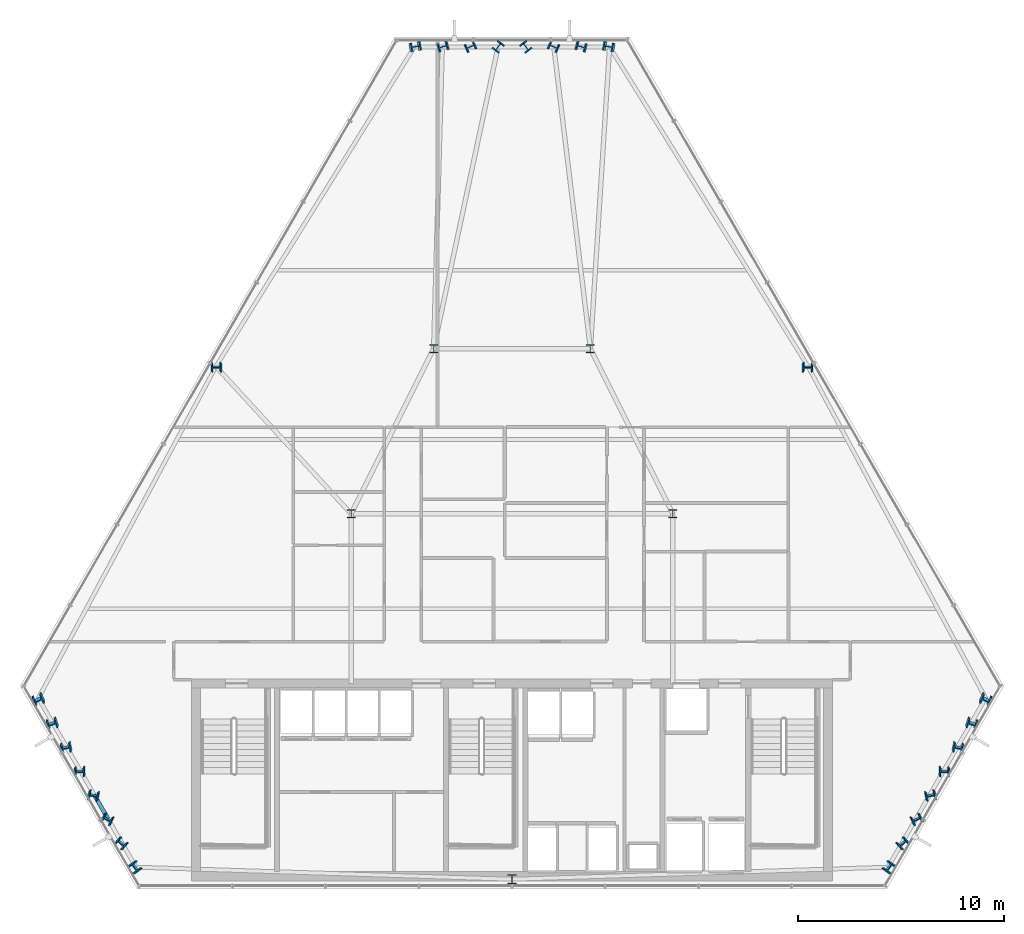
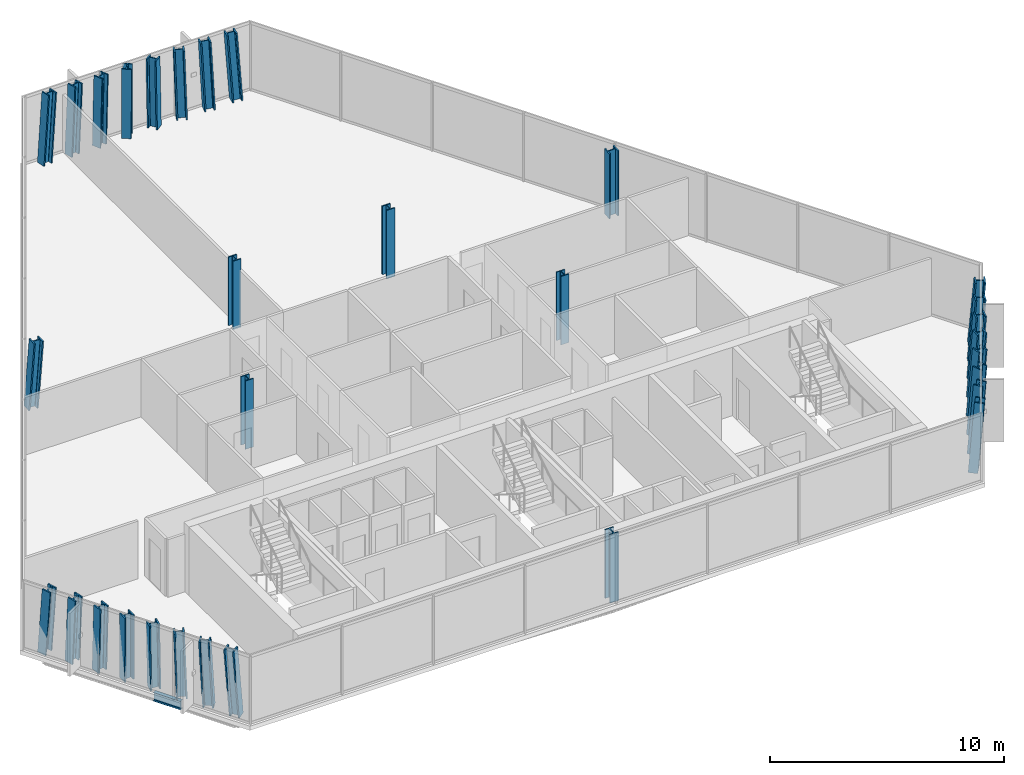
# One storey, part 1 of 32: 31 columns, 1 beam.
"""IFC4 building model written with IfcOpenShell, lengths in metres."""

from ifc_helpers import new_model, si_unit, direction, frame, origin, origin_2d, place, context, subcontext, project, spatial, i_section, extrude, material, material_profile, profile_set, type_object, element, save


model = new_model("IFC4")

# Units and contexts
model_context = context("Model", 3, precision=1e-05, world=origin(), true_north=direction((0.0, 1.0)))
body_context = subcontext(model_context, "Body", "Model", "MODEL_VIEW")
ifc_project = project(units=[si_unit("LENGTHUNIT", "METRE"), si_unit("AREAUNIT", "SQUARE_METRE"), si_unit("VOLUMEUNIT", "CUBIC_METRE"), si_unit("PLANEANGLEUNIT", "RADIAN"), si_unit("MASSUNIT", "GRAM", prefix="KILO")], contexts=[model_context])

# Site, building, storey
site_placement = place(None, origin())
site = spatial("IfcSite", under=ifc_project, at=site_placement, CompositionType="ELEMENT")
building_placement = place(site_placement, origin())
building = spatial("IfcBuilding", under=site, at=building_placement, Name="Ndaravel Arena Tower", CompositionType="ELEMENT")
storey_placement = place(building_placement, frame((0.0, 0.0, 157.39990234375)))
storey = spatial("IfcBuildingStorey", under=building, at=storey_placement, Name="L37", CompositionType="ELEMENT", Elevation=157.39990234375)

# Columns
ifc_material_1 = material(Name="Steel S355", Category="steel")
ifc_material_profile_1 = material_profile(ifc_material_1, i_section(OverallWidth=0.406982421875, OverallDepth=0.4189453125, WebThickness=0.030517578125, FlangeThickness=0.04931640625, FilletRadius=0.01513671875, at=origin_2d()), Name="UC 356x406x393")
ifc_profile_set_1 = profile_set([ifc_material_profile_1], Name="Steel S355")
column_type_1 = type_object("IfcColumnType", Name="COL-INT-UC393", PredefinedType="COLUMN", material=ifc_profile_set_1)
for number, where, z_axis, x_axis, name in (
    (1, (34.199951171875, 23.199951171875, 0.0), (0.0, 0.0, 1.0), (1.0, 0.0, 0.0), "L37 Interior Spine Column IC-01"),
    (2, (49.800048828125, 23.199951171875, 0.0), (0.0, 0.0, 1.0), (1.0, 0.0, 0.0), "L37 Interior Spine Column IC-02"),
    (3, (38.199951171875, 31.199951171875, 0.0), (0.0, 0.0, 1.0), (1.0, 0.0, 0.0), "L37 Interior Spine Column IC-03"),
    (4, (45.800048828125, 31.199951171875, 0.0), (0.0, 0.0, 1.0), (1.0, 0.0, 0.0), "L37 Interior Spine Column IC-04"),
):
    element("IfcColumn", number, at=place(storey_placement, frame(where, z_axis=z_axis, x_axis=x_axis)), inside=storey, type_object=column_type_1, Name=name, PredefinedType="COLUMN", context=body_context, shape_type="SweptSolid", body=[
        extrude(i_section(OverallWidth=0.406982421875, OverallDepth=0.4189453125, WebThickness=0.030517578125, FlangeThickness=0.04931640625, FilletRadius=0.01513671875, at=origin_2d()), origin(), (0.0, 0.0, 1.0), 3.580078125),
    ])
ifc_material_2 = material(Name="Steel S355", Category="steel")
ifc_material_profile_2 = material_profile(ifc_material_2, i_section(OverallWidth=0.427978515625, OverallDepth=0.48095703125, WebThickness=0.051025390625, FlangeThickness=0.06494140625, FilletRadius=0.014892578125, at=origin_2d()), Name="HD 400x677")
ifc_profile_set_2 = profile_set([ifc_material_profile_2], Name="Steel S355")
column_type_2 = type_object("IfcColumnType", Name="COL-TUBE-HD677", PredefinedType="COLUMN", material=ifc_profile_set_2)
column_1_placement = place(storey_placement, frame((42.0, 5.47998046875, 0.0), z_axis=(0.0, 0.0, 1.0), x_axis=(1.0, 0.0, 0.0)))
element("IfcColumn", 5, at=column_1_placement, inside=storey, type_object=column_type_2, Name="L37 Framed Tube Column TC-01", PredefinedType="COLUMN", context=body_context, shape_type="SweptSolid", body=[
    extrude(i_section(OverallWidth=0.427978515625, OverallDepth=0.48095703125, WebThickness=0.051025390625, FlangeThickness=0.06494140625, FilletRadius=0.014892578125, at=origin_2d()), origin(), (0.0, 0.0, 1.0), 3.580078125),
])
column_2_placement = place(storey_placement, frame((60.22900390625, 6.065185546875, 0.0), z_axis=(0.082637441478, -0.008630719628, 0.996542304142), x_axis=(-0.80642429623, 0.586943163695, 0.071955382297)))
element("IfcColumn", 6, at=column_2_placement, inside=storey, type_object=column_type_2, Name="L37 Framed Tube Column TC-02", PredefinedType="COLUMN", context=body_context, shape_type="SweptSolid", body=[
    extrude(i_section(OverallWidth=0.427978515625, OverallDepth=0.48095703125, WebThickness=0.051025390625, FlangeThickness=0.06494140625, FilletRadius=0.014892578125, at=origin_2d()), origin(), (0.0, 0.0, 1.0), 3.592529296875),
])
column_3_placement = place(storey_placement, frame((60.90478515625, 7.236083984375, 0.0), z_axis=(0.072682152579, -0.02597248109, 0.997016918072), x_axis=(-0.64483596094, 0.761392562789, 0.066842716942)))
element("IfcColumn", 7, at=column_3_placement, inside=storey, type_object=column_type_2, Name="L37 Framed Tube Column TC-03", PredefinedType="COLUMN", context=body_context, shape_type="SweptSolid", body=[
    extrude(i_section(OverallWidth=0.427978515625, OverallDepth=0.48095703125, WebThickness=0.051025390625, FlangeThickness=0.06494140625, FilletRadius=0.014892578125, at=origin_2d()), origin(), (0.0, 0.0, 1.0), 3.5908203125),
])
column_4_placement = place(storey_placement, frame((61.580810546875, 8.40673828125, 0.0), z_axis=(0.062692448917, -0.043245550446, 0.99709552161), x_axis=(-0.4268946115, 0.901892787466, 0.065957490769)))
element("IfcColumn", 8, at=column_4_placement, inside=storey, type_object=column_type_2, Name="L37 Framed Tube Column TC-04", PredefinedType="COLUMN", context=body_context, shape_type="SweptSolid", body=[
    extrude(i_section(OverallWidth=0.427978515625, OverallDepth=0.48095703125, WebThickness=0.051025390625, FlangeThickness=0.06494140625, FilletRadius=0.014892578125, at=origin_2d()), origin(), (0.0, 0.0, 1.0), 3.590576171875),
])
column_5_placement = place(storey_placement, frame((62.256591796875, 9.577392578125, 0.0), z_axis=(0.052679977331, -0.06056498039, 0.996773145274), x_axis=(-0.189267023652, 0.979461852811, 0.06951598842)))
element("IfcColumn", 9, at=column_5_placement, inside=storey, type_object=column_type_2, Name="L37 Framed Tube Column TC-05", PredefinedType="COLUMN", context=body_context, shape_type="SweptSolid", body=[
    extrude(i_section(OverallWidth=0.427978515625, OverallDepth=0.48095703125, WebThickness=0.051025390625, FlangeThickness=0.06494140625, FilletRadius=0.014892578125, at=origin_2d()), origin(), (0.0, 0.0, 1.0), 3.591552734375),
])
column_6_placement = place(storey_placement, frame((62.9326171875, 10.748046875, 0.0), z_axis=(0.042657147183, -0.077774575675, 0.996057971793), x_axis=(0.023569695175, 0.996766312557, 0.076820489587)))
element("IfcColumn", 10, at=column_6_placement, inside=storey, type_object=column_type_2, Name="L37 Framed Tube Column TC-06", PredefinedType="COLUMN", context=body_context, shape_type="SweptSolid", body=[
    extrude(i_section(OverallWidth=0.427978515625, OverallDepth=0.48095703125, WebThickness=0.051025390625, FlangeThickness=0.06494140625, FilletRadius=0.014892578125, at=origin_2d()), origin(), (0.0, 0.0, 1.0), 3.59423828125),
])
column_7_placement = place(storey_placement, frame((63.6083984375, 11.918701171875, 0.0), z_axis=(0.032635548497, -0.094989122444, 0.994943208224), x_axis=(0.192895682361, 0.977356253584, 0.086982810407)))
element("IfcColumn", 11, at=column_7_placement, inside=storey, type_object=column_type_2, Name="L37 Framed Tube Column TC-07", PredefinedType="COLUMN", context=body_context, shape_type="SweptSolid", body=[
    extrude(i_section(OverallWidth=0.427978515625, OverallDepth=0.48095703125, WebThickness=0.051025390625, FlangeThickness=0.06494140625, FilletRadius=0.014892578125, at=origin_2d()), origin(), (0.0, 0.0, 1.0), 3.598388671875),
])
column_8_placement = place(storey_placement, frame((64.284423828125, 13.08935546875, 0.0), z_axis=(0.022627554317, -0.112053816885, 0.993444480536), x_axis=(0.319810446027, 0.942295192889, 0.099000242776)))
element("IfcColumn", 12, at=column_8_placement, inside=storey, type_object=column_type_2, Name="L37 Framed Tube Column TC-08", PredefinedType="COLUMN", context=body_context, shape_type="SweptSolid", body=[
    extrude(i_section(OverallWidth=0.427978515625, OverallDepth=0.48095703125, WebThickness=0.051025390625, FlangeThickness=0.06494140625, FilletRadius=0.014892578125, at=origin_2d()), origin(), (0.0, 0.0, 1.0), 3.603759765625),
])
column_9_placement = place(storey_placement, frame((64.960205078125, 14.260009765625, 0.0), z_axis=(0.012644712092, -0.129016634603, 0.991561808084), x_axis=(0.413855538936, 0.903393439942, 0.112267027934)))
element("IfcColumn", 13, at=column_9_placement, inside=storey, type_object=column_type_2, Name="L37 Framed Tube Column TC-09", PredefinedType="COLUMN", context=body_context, shape_type="SweptSolid", body=[
    extrude(i_section(OverallWidth=0.427978515625, OverallDepth=0.48095703125, WebThickness=0.051025390625, FlangeThickness=0.06494140625, FilletRadius=0.014892578125, at=origin_2d()), origin(), (0.0, 0.0, 1.0), 3.610595703125),
])
column_10_placement = place(storey_placement, frame((56.352783203125, 30.339599609375, 0.0), z_axis=(-0.036116494653, -0.062574717666, 0.997386586797), x_axis=(-0.001263659041, 0.998039781676, 0.062569939729)))
element("IfcColumn", 14, at=column_10_placement, inside=storey, type_object=column_type_2, Name="L37 Framed Tube Column TC-10", PredefinedType="COLUMN", context=body_context, shape_type="SweptSolid", body=[
    extrude(i_section(OverallWidth=0.427978515625, OverallDepth=0.48095703125, WebThickness=0.051025390625, FlangeThickness=0.06494140625, FilletRadius=0.014892578125, at=origin_2d()), origin(), (0.0, 0.0, 1.0), 3.58935546875),
])
column_11_placement = place(storey_placement, frame((46.731201171875, 45.833740234375, 0.0), z_axis=(-0.069925809209, 0.013332158176, 0.99746309945), x_axis=(-0.187287742044, -0.982305096027, 0.0)))
element("IfcColumn", 15, at=column_11_placement, inside=storey, type_object=column_type_2, Name="L37 Framed Tube Column TC-11", PredefinedType="COLUMN", context=body_context, shape_type="SweptSolid", body=[
    extrude(i_section(OverallWidth=0.427978515625, OverallDepth=0.48095703125, WebThickness=0.051025390625, FlangeThickness=0.06494140625, FilletRadius=0.014892578125, at=origin_2d()), origin(), (0.0, 0.0, 1.0), 3.589111328125),
])
column_12_placement = place(storey_placement, frame((45.37939453125, 45.833740234375, 0.0), z_axis=(-0.04998751433, 0.01334816459, 0.998660640515), x_axis=(-0.257990339619, -0.966147496329, 0.0)))
element("IfcColumn", 16, at=column_12_placement, inside=storey, type_object=column_type_2, Name="L37 Framed Tube Column TC-12", PredefinedType="COLUMN", context=body_context, shape_type="SweptSolid", body=[
    extrude(i_section(OverallWidth=0.427978515625, OverallDepth=0.48095703125, WebThickness=0.051025390625, FlangeThickness=0.06494140625, FilletRadius=0.014892578125, at=origin_2d()), origin(), (0.0, 0.0, 1.0), 3.5849609375),
])
column_13_placement = place(storey_placement, frame((44.027587890625, 45.833740234375, 0.0), z_axis=(-0.029989280996, 0.013358861534, 0.999460946633), x_axis=(-0.406908820187, -0.913468780011, 0.0)))
element("IfcColumn", 17, at=column_13_placement, inside=storey, type_object=column_type_2, Name="L37 Framed Tube Column TC-13", PredefinedType="COLUMN", context=body_context, shape_type="SweptSolid", body=[
    extrude(i_section(OverallWidth=0.427978515625, OverallDepth=0.48095703125, WebThickness=0.051025390625, FlangeThickness=0.06494140625, FilletRadius=0.014892578125, at=origin_2d()), origin(), (0.0, 0.0, 1.0), 3.58203125),
])
for number, where, z_axis, x_axis, name in (
    (18, (42.67578125, 45.833740234375, 0.0), (-0.010023151068, 0.013364201424, 0.999860457545), (-0.8, -0.6, 0.0), "L37 Framed Tube Column TC-14"),
    (19, (41.32421875, 45.833740234375, 0.0), (0.010023151068, 0.013364201424, 0.999860457545), (-0.8, 0.6, 0.0), "L37 Framed Tube Column TC-15"),
):
    element("IfcColumn", number, at=place(storey_placement, frame(where, z_axis=z_axis, x_axis=x_axis)), inside=storey, type_object=column_type_2, Name=name, PredefinedType="COLUMN", context=body_context, shape_type="SweptSolid", body=[
        extrude(i_section(OverallWidth=0.427978515625, OverallDepth=0.48095703125, WebThickness=0.051025390625, FlangeThickness=0.06494140625, FilletRadius=0.014892578125, at=origin_2d()), origin(), (0.0, 0.0, 1.0), 3.58056640625),
    ])
column_14_placement = place(storey_placement, frame((39.972412109375, 45.833740234375, 0.0), z_axis=(0.029989280996, 0.013358861534, 0.999460946633), x_axis=(-0.406908820187, 0.913468780011, 0.0)))
element("IfcColumn", 20, at=column_14_placement, inside=storey, type_object=column_type_2, Name="L37 Framed Tube Column TC-16", PredefinedType="COLUMN", context=body_context, shape_type="SweptSolid", body=[
    extrude(i_section(OverallWidth=0.427978515625, OverallDepth=0.48095703125, WebThickness=0.051025390625, FlangeThickness=0.06494140625, FilletRadius=0.014892578125, at=origin_2d()), origin(), (0.0, 0.0, 1.0), 3.58203125),
])
column_15_placement = place(storey_placement, frame((38.62060546875, 45.833740234375, 0.0), z_axis=(0.04998751433, 0.01334816459, 0.998660640515), x_axis=(-0.257990339619, 0.966147496329, 0.0)))
element("IfcColumn", 21, at=column_15_placement, inside=storey, type_object=column_type_2, Name="L37 Framed Tube Column TC-17", PredefinedType="COLUMN", context=body_context, shape_type="SweptSolid", body=[
    extrude(i_section(OverallWidth=0.427978515625, OverallDepth=0.48095703125, WebThickness=0.051025390625, FlangeThickness=0.06494140625, FilletRadius=0.014892578125, at=origin_2d()), origin(), (0.0, 0.0, 1.0), 3.5849609375),
])
column_16_placement = place(storey_placement, frame((37.268798828125, 45.833740234375, 0.0), z_axis=(0.069925809209, 0.013332158176, 0.99746309945), x_axis=(-0.187287742044, 0.982305096027, 0.0)))
element("IfcColumn", 22, at=column_16_placement, inside=storey, type_object=column_type_2, Name="L37 Framed Tube Column TC-18", PredefinedType="COLUMN", context=body_context, shape_type="SweptSolid", body=[
    extrude(i_section(OverallWidth=0.427978515625, OverallDepth=0.48095703125, WebThickness=0.051025390625, FlangeThickness=0.06494140625, FilletRadius=0.014892578125, at=origin_2d()), origin(), (0.0, 0.0, 1.0), 3.589111328125),
])
column_17_placement = place(storey_placement, frame((27.647216796875, 30.339599609375, 0.0), z_axis=(0.036116494653, -0.062574717666, 0.997386586797), x_axis=(0.001263659041, 0.998039781676, 0.062569939729)))
element("IfcColumn", 23, at=column_17_placement, inside=storey, type_object=column_type_2, Name="L37 Framed Tube Column TC-19", PredefinedType="COLUMN", context=body_context, shape_type="SweptSolid", body=[
    extrude(i_section(OverallWidth=0.427978515625, OverallDepth=0.48095703125, WebThickness=0.051025390625, FlangeThickness=0.06494140625, FilletRadius=0.014892578125, at=origin_2d()), origin(), (0.0, 0.0, 1.0), 3.58935546875),
])
column_18_placement = place(storey_placement, frame((19.039794921875, 14.260009765625, 0.0), z_axis=(-0.012644712092, -0.129016634603, 0.991561808084), x_axis=(-0.413855538936, 0.903393439942, 0.112267027934)))
element("IfcColumn", 24, at=column_18_placement, inside=storey, type_object=column_type_2, Name="L37 Framed Tube Column TC-20", PredefinedType="COLUMN", context=body_context, shape_type="SweptSolid", body=[
    extrude(i_section(OverallWidth=0.427978515625, OverallDepth=0.48095703125, WebThickness=0.051025390625, FlangeThickness=0.06494140625, FilletRadius=0.014892578125, at=origin_2d()), origin(), (0.0, 0.0, 1.0), 3.610595703125),
])
column_19_placement = place(storey_placement, frame((19.715576171875, 13.08935546875, 0.0), z_axis=(-0.022627554317, -0.112053816885, 0.993444480536), x_axis=(-0.319810446027, 0.942295192889, 0.099000242776)))
element("IfcColumn", 25, at=column_19_placement, inside=storey, type_object=column_type_2, Name="L37 Framed Tube Column TC-21", PredefinedType="COLUMN", context=body_context, shape_type="SweptSolid", body=[
    extrude(i_section(OverallWidth=0.427978515625, OverallDepth=0.48095703125, WebThickness=0.051025390625, FlangeThickness=0.06494140625, FilletRadius=0.014892578125, at=origin_2d()), origin(), (0.0, 0.0, 1.0), 3.603759765625),
])
column_20_placement = place(storey_placement, frame((20.3916015625, 11.918701171875, 0.0), z_axis=(-0.032635548497, -0.094989122444, 0.994943208224), x_axis=(-0.192895682361, 0.977356253584, 0.086982810407)))
element("IfcColumn", 26, at=column_20_placement, inside=storey, type_object=column_type_2, Name="L37 Framed Tube Column TC-22", PredefinedType="COLUMN", context=body_context, shape_type="SweptSolid", body=[
    extrude(i_section(OverallWidth=0.427978515625, OverallDepth=0.48095703125, WebThickness=0.051025390625, FlangeThickness=0.06494140625, FilletRadius=0.014892578125, at=origin_2d()), origin(), (0.0, 0.0, 1.0), 3.598388671875),
])
column_21_placement = place(storey_placement, frame((21.0673828125, 10.748046875, 0.0), z_axis=(-0.042657147183, -0.077774575675, 0.996057971793), x_axis=(-0.023569695175, 0.996766312557, 0.076820489587)))
element("IfcColumn", 27, at=column_21_placement, inside=storey, type_object=column_type_2, Name="L37 Framed Tube Column TC-23", PredefinedType="COLUMN", context=body_context, shape_type="SweptSolid", body=[
    extrude(i_section(OverallWidth=0.427978515625, OverallDepth=0.48095703125, WebThickness=0.051025390625, FlangeThickness=0.06494140625, FilletRadius=0.014892578125, at=origin_2d()), origin(), (0.0, 0.0, 1.0), 3.59423828125),
])
column_22_placement = place(storey_placement, frame((21.743408203125, 9.577392578125, 0.0), z_axis=(-0.052679977331, -0.06056498039, 0.996773145274), x_axis=(0.189267023652, 0.979461852811, 0.06951598842)))
element("IfcColumn", 28, at=column_22_placement, inside=storey, type_object=column_type_2, Name="L37 Framed Tube Column TC-24", PredefinedType="COLUMN", context=body_context, shape_type="SweptSolid", body=[
    extrude(i_section(OverallWidth=0.427978515625, OverallDepth=0.48095703125, WebThickness=0.051025390625, FlangeThickness=0.06494140625, FilletRadius=0.014892578125, at=origin_2d()), origin(), (0.0, 0.0, 1.0), 3.591552734375),
])
column_23_placement = place(storey_placement, frame((22.419189453125, 8.40673828125, 0.0), z_axis=(-0.062692448917, -0.043245550446, 0.99709552161), x_axis=(0.4268946115, 0.901892787466, 0.065957490769)))
element("IfcColumn", 29, at=column_23_placement, inside=storey, type_object=column_type_2, Name="L37 Framed Tube Column TC-25", PredefinedType="COLUMN", context=body_context, shape_type="SweptSolid", body=[
    extrude(i_section(OverallWidth=0.427978515625, OverallDepth=0.48095703125, WebThickness=0.051025390625, FlangeThickness=0.06494140625, FilletRadius=0.014892578125, at=origin_2d()), origin(), (0.0, 0.0, 1.0), 3.590576171875),
])
column_24_placement = place(storey_placement, frame((23.09521484375, 7.236083984375, 0.0), z_axis=(-0.072682152579, -0.02597248109, 0.997016918072), x_axis=(0.64483596094, 0.761392562789, 0.066842716942)))
element("IfcColumn", 30, at=column_24_placement, inside=storey, type_object=column_type_2, Name="L37 Framed Tube Column TC-26", PredefinedType="COLUMN", context=body_context, shape_type="SweptSolid", body=[
    extrude(i_section(OverallWidth=0.427978515625, OverallDepth=0.48095703125, WebThickness=0.051025390625, FlangeThickness=0.06494140625, FilletRadius=0.014892578125, at=origin_2d()), origin(), (0.0, 0.0, 1.0), 3.5908203125),
])
column_25_placement = place(storey_placement, frame((23.77099609375, 6.065185546875, 0.0), z_axis=(-0.082637441478, -0.008630719628, 0.996542304142), x_axis=(0.80642429623, 0.586943163695, 0.071955382297)))
element("IfcColumn", 31, at=column_25_placement, inside=storey, type_object=column_type_2, Name="L37 Framed Tube Column TC-27", PredefinedType="COLUMN", context=body_context, shape_type="SweptSolid", body=[
    extrude(i_section(OverallWidth=0.427978515625, OverallDepth=0.48095703125, WebThickness=0.051025390625, FlangeThickness=0.06494140625, FilletRadius=0.014892578125, at=origin_2d()), origin(), (0.0, 0.0, 1.0), 3.592529296875),
])

# Beam
ifc_material_3 = material(Name="Steel S355", Category="steel")
ifc_material_profile_3 = material_profile(ifc_material_3, i_section(OverallWidth=0.18994140625, OverallDepth=0.449951171875, WebThickness=0.009521484375, FlangeThickness=0.0146484375, FilletRadius=0.02099609375, at=origin_2d()), Name="IPE 450")
ifc_profile_set_3 = profile_set([ifc_material_profile_3], Name="Steel S355")
beam_type = type_object("IfcBeamType", Name="BM-SPAN-IPE450", PredefinedType="SPANDREL", material=ifc_profile_set_3)
beam_placement = place(storey_placement, frame((21.743408203125, 9.577392578125, -0.44482421875), z_axis=(0.49994655361, -0.866056258873, 0.0), x_axis=(0.866056258873, 0.49994655361, 0.0)))
element("IfcBeam", 32, at=beam_placement, inside=storey, type_object=beam_type, Name="L37 Perimeter Spandrel Beam SP-24", PredefinedType="SPANDREL", context=body_context, shape_type="SweptSolid", body=[
    extrude(i_section(OverallWidth=0.18994140625, OverallDepth=0.449951171875, WebThickness=0.009521484375, FlangeThickness=0.0146484375, FilletRadius=0.02099609375, at=origin_2d()), origin(), (0.0, 0.0, 1.0), 1.351806640625),
])

save(model, "model.ifc")
